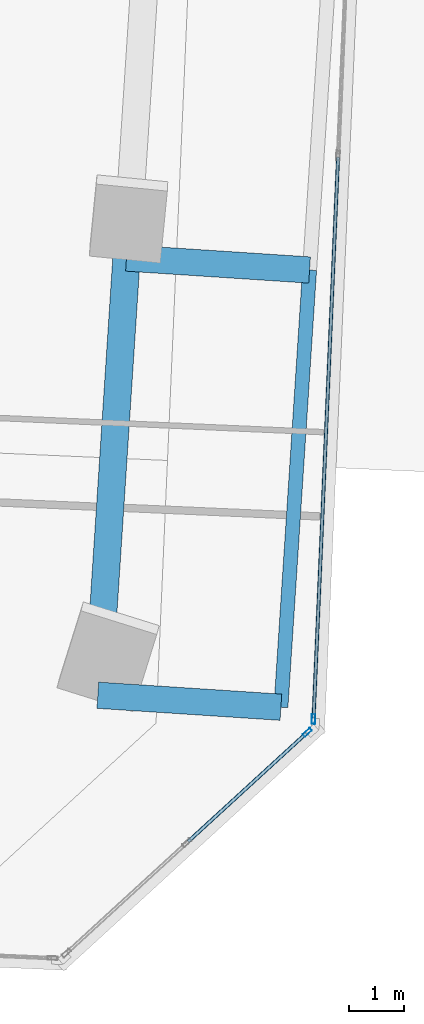
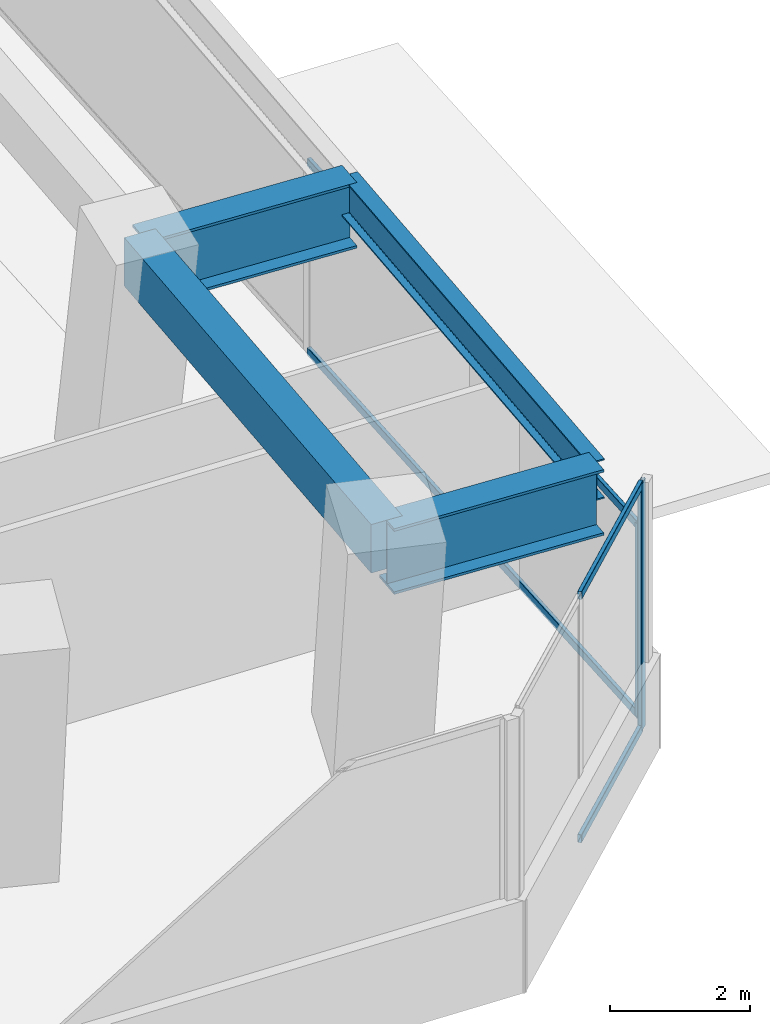
# One storey, part 11 of 27: 6 members, 4 beams, 2 elements without a shape of their own.
"""IFC4 building model written with IfcOpenShell, lengths in metres."""

from ifc_helpers import new_model, si_unit, direction, frame, origin, origin_2d, place, context, subcontext, project, spatial, rectangle, hollow_rectangle, i_section, extrude, source, transform, mapped, material, material_profile, profile_set, type_object, element, aggregate, save


model = new_model("IFC4")

# Units and contexts
model_context = context("Model", 3, precision=1e-05, world=origin(), true_north=direction((0.0, 1.0)))
body_context = subcontext(model_context, "Body", "Model", "MODEL_VIEW")
ifc_project = project(units=[si_unit("LENGTHUNIT", "METRE"), si_unit("AREAUNIT", "SQUARE_METRE"), si_unit("VOLUMEUNIT", "CUBIC_METRE"), si_unit("PLANEANGLEUNIT", "RADIAN"), si_unit("MASSUNIT", "GRAM", prefix="KILO")], contexts=[model_context])

# Site, building, storey
site_placement = place(None, origin())
site = spatial("IfcSite", under=ifc_project, at=site_placement, CompositionType="ELEMENT")
building_placement = place(site_placement, origin())
building = spatial("IfcBuilding", under=site, at=building_placement, Name="Torre Montelarca", CompositionType="ELEMENT")
storey_placement = place(building_placement, frame((0.0, 0.0, 37.60009765625)))
storey = spatial("IfcBuildingStorey", under=building, at=storey_placement, Name="L08", CompositionType="ELEMENT", Elevation=37.60009765625)

# Beams
ifc_material_1 = material(Name="Concrete C55/67", Category="concrete")
ifc_material_profile_1 = material_profile(ifc_material_1, rectangle(XDim=0.5, YDim=0.85009765625, at=origin_2d()), Name="RCB500X850", Category="concrete")
ifc_profile_set_1 = profile_set([ifc_material_profile_1], Name="Concrete C55/67")
beam_type_1 = type_object("IfcBeamType", Name="BM-SP-RC850-EXT", PredefinedType="SPANDREL", material=ifc_profile_set_1)
shared_shape_1 = source(origin(), body_context, "Body", "SweptSolid", [
    extrude(rectangle(XDim=0.5, YDim=0.85009765625, at=origin_2d()), origin(), (0.0, 0.0, 1.0), 8.0),
])
beam_1_placement = place(storey_placement, frame((59.394287109375, 21.4990234375, 4.135009765625), z_axis=(0.065398870593, 0.997859202355, 0.0), x_axis=(-0.997859202355, 0.065398870593, 0.0)))
element("IfcBeam", 1, at=beam_1_placement, inside=storey, type_object=beam_type_1, Name="L08 Grid Girder Y 24.0-32.0 at X=60.0", PredefinedType="SPANDREL", context=body_context, shape_type="MappedRepresentation", body=[
    mapped(shared_shape_1, transform((0.0, 0.0, 0.0), scale=1.0)),
])
ifc_material_2 = material(Name="Steel ASTM A572 Grade 50", Category="steel")
ifc_material_profile_2 = material_profile(ifc_material_2, i_section(OverallWidth=0.47998046875, OverallDepth=1.14990234375, WebThickness=0.02197265625, FlangeThickness=0.044921875, at=origin_2d()), Name="PG1150X480X22X45", Category="steel")
ifc_profile_set_2 = profile_set([ifc_material_profile_2], Name="Steel ASTM A572 Grade 50")
beam_type_2 = type_object("IfcBeamType", Name="BM-CG-PG1400-EXT", PredefinedType="USERDEFINED", material=ifc_profile_set_2)
shared_shape_2 = source(origin(), body_context, "Body", "SweptSolid", [
    extrude(i_section(OverallWidth=0.47998046875, OverallDepth=1.14990234375, WebThickness=0.02197265625, FlangeThickness=0.044921875, at=origin_2d()), origin(), (0.0, 0.0, 1.0), 3.35009765625),
])
for number, where, z_axis, x_axis, name in (
    (2, (59.394287109375, 21.4990234375, 3.98486328125), (0.997861237042, -0.065367817836, 0.0), (0.065367817836, 0.997861237042, 0.0), "L08 Sliding Tray Cantilever Girder East Y=24m (FLR)"),
    (3, (59.91748046875, 29.48193359375, 3.98486328125), (0.997861237042, -0.065367817836, 0.0), (0.065367817836, 0.997861237042, 0.0), "L08 Sliding Tray Cantilever Girder East Y=32m (FLR)"),
):
    element("IfcBeam", number, at=place(storey_placement, frame(where, z_axis=z_axis, x_axis=x_axis)), inside=storey, type_object=beam_type_2, Name=name, ObjectType="CANTILEVER GIRDER", PredefinedType="USERDEFINED", context=body_context, shape_type="MappedRepresentation", body=[
        mapped(shared_shape_2, transform((0.0, 0.0, 0.0), scale=1.0)),
    ])
ifc_material_3 = material(Name="Steel ASTM A992 Grade 50", Category="steel")
ifc_material_profile_3 = material_profile(ifc_material_3, i_section(OverallWidth=0.256103515625, OverallDepth=0.693115234375, WebThickness=0.014404296875, FlangeThickness=0.023681640625, FilletRadius=0.01806640625, at=origin_2d()), Name="W690X170", Category="steel")
ifc_profile_set_3 = profile_set([ifc_material_profile_3], Name="Steel ASTM A992 Grade 50")
beam_type_3 = type_object("IfcBeamType", Name="BM-G-W690-EXT", PredefinedType="BEAM", material=ifc_profile_set_3)
shared_shape_3 = source(origin(), body_context, "Body", "SweptSolid", [
    extrude(i_section(OverallWidth=0.256103515625, OverallDepth=0.693115234375, WebThickness=0.014404296875, FlangeThickness=0.023681640625, FilletRadius=0.01806640625, at=origin_2d()), origin(), (0.0, 0.0, 1.0), 8.0),
])
beam_2_placement = place(storey_placement, frame((62.7373046875, 21.280029296875, 4.212890625), z_axis=(0.065398870593, 0.997859202355, 0.0), x_axis=(-0.997859202355, 0.065398870593, 0.0)))
element("IfcBeam", 4, at=beam_2_placement, inside=storey, type_object=beam_type_3, Name="L08 Sliding Tray Edge Girder East 24-32m (FLR)", PredefinedType="BEAM", context=body_context, shape_type="MappedRepresentation", body=[
    mapped(shared_shape_3, transform((0.0, 0.0, 0.0), scale=1.0)),
])

# Curtain wall, members
ifc_material_4 = material(Name="Insulated low-E laminated glass", Category="glass")
curtain_wall_type = type_object("IfcCurtainWallType", Name="CW-SYS-Z1", PredefinedType="USERDEFINED", material=ifc_material_4)
curtain_wall_1_placement = place(storey_placement, origin())
curtain_wall_1 = element("IfcCurtainWall", 5, at=curtain_wall_1_placement, inside=storey, type_object=curtain_wall_type, Name="L08 Curtain Wall Run CW-T3-L08-E05-B1", ObjectType="UNITISED GLAZING", PredefinedType="USERDEFINED")
ifc_material_5 = material(Name="Anodised aluminium AA 6063-T6", Category="aluminium")
ifc_material_profile_4 = material_profile(ifc_material_5, hollow_rectangle(XDim=0.06494140625, YDim=0.139892578125, WallThickness=0.00390625, InnerFilletRadius=0.00390625, OuterFilletRadius=0.008056640625, at=origin_2d()), Name="ALU65X140X4", Category="aluminium")
ifc_profile_set_4 = profile_set([ifc_material_profile_4], Name="Anodised aluminium AA 6063-T6")
member_type_1 = type_object("IfcMemberType", Name="CWT-ALU140", PredefinedType="USERDEFINED", material=ifc_profile_set_4)
shared_shape_4 = source(origin(), body_context, "Body", "SweptSolid", [
    extrude(hollow_rectangle(XDim=0.06494140625, YDim=0.139892578125, WallThickness=0.00390625, InnerFilletRadius=0.00390625, OuterFilletRadius=0.008056640625, at=origin_2d()), origin(), (0.0, 0.0, 1.0), 2.918701171875),
])
member_1_placement = place(storey_placement, frame((61.044189453125, 18.827392578125, 0.032470703125), z_axis=(0.737258294732, 0.675610987809, 0.0), x_axis=(-0.675610987809, 0.737258294732, 0.0)))
member_1 = element("IfcMember", 6, at=member_1_placement, type_object=member_type_1, Name="CW transom 2.1", ObjectType="TRANSOM", PredefinedType="USERDEFINED", context=body_context, shape_type="MappedRepresentation", body=[
    mapped(shared_shape_4, transform((0.0, 0.0, 0.0), scale=1.0)),
])
member_2_placement = place(storey_placement, frame((61.044189453125, 18.827392578125, 4.287353515625), z_axis=(0.737258294732, 0.675610987809, 0.0), x_axis=(-0.675610987809, 0.737258294732, 0.0)))
member_2 = element("IfcMember", 7, at=member_2_placement, type_object=member_type_1, Name="CW transom 2.2", ObjectType="TRANSOM", PredefinedType="USERDEFINED", context=body_context, shape_type="MappedRepresentation", body=[
    mapped(shared_shape_4, transform((0.0, 0.0, 0.0), scale=1.0)),
])
ifc_material_profile_5 = material_profile(ifc_material_5, hollow_rectangle(XDim=0.06494140625, YDim=0.179931640625, WallThickness=0.00390625, InnerFilletRadius=0.00390625, OuterFilletRadius=0.008056640625, at=origin_2d()), Name="ALU65X180X4", Category="aluminium")
ifc_profile_set_5 = profile_set([ifc_material_profile_5], Name="Anodised aluminium AA 6063-T6")
member_type_2 = type_object("IfcMemberType", Name="CWM-ALU180", PredefinedType="MULLION", material=ifc_profile_set_5)
shared_shape_5 = source(origin(), body_context, "Body", "SweptSolid", [
    extrude(hollow_rectangle(XDim=0.06494140625, YDim=0.179931640625, WallThickness=0.00390625, InnerFilletRadius=0.00390625, OuterFilletRadius=0.008056640625, at=origin_2d()), origin(), (0.0, 0.0, 1.0), 4.31982421875),
])
member_3_placement = place(storey_placement, frame((63.219970703125, 20.8212890625, 0.0), z_axis=(0.0, 0.0, 1.0), x_axis=(-0.675574480513, 0.737291747736, 0.0)))
member_3 = element("IfcMember", 8, at=member_3_placement, type_object=member_type_2, Name="CW mullion 3", PredefinedType="MULLION", context=body_context, shape_type="MappedRepresentation", body=[
    mapped(shared_shape_5, transform((0.0, 0.0, 0.0), scale=1.0)),
])
aggregate(curtain_wall_1, [member_3, member_1, member_2])

curtain_wall_2_placement = place(storey_placement, origin())
curtain_wall_2 = element("IfcCurtainWall", 9, at=curtain_wall_2_placement, inside=storey, type_object=curtain_wall_type, Name="L08 Curtain Wall Run CW-T3-L08-E06-B1", ObjectType="UNITISED GLAZING", PredefinedType="USERDEFINED")
shared_shape_6 = source(origin(), body_context, "Body", "SweptSolid", [
    extrude(hollow_rectangle(XDim=0.06494140625, YDim=0.179931640625, WallThickness=0.00390625, InnerFilletRadius=0.00390625, OuterFilletRadius=0.008056640625, at=origin_2d()), origin(), (0.0, 0.0, 1.0), 3.375),
])
member_4_placement = place(storey_placement, frame((63.332763671875, 21.063232421875, 0.0), z_axis=(0.0, 0.0, 1.0), x_axis=(-0.999048300322, 0.043617583889, 0.0)))
member_4 = element("IfcMember", 10, at=member_4_placement, type_object=member_type_2, Name="CW mullion 1", PredefinedType="MULLION", context=body_context, shape_type="MappedRepresentation", body=[
    mapped(shared_shape_6, transform((0.0, 0.0, 0.0), scale=1.0)),
])
shared_shape_7 = source(origin(), body_context, "Body", "SweptSolid", [
    extrude(hollow_rectangle(XDim=0.06494140625, YDim=0.139892578125, WallThickness=0.00390625, InnerFilletRadius=0.00390625, OuterFilletRadius=0.008056640625, at=origin_2d()), origin(), (0.0, 0.0, 1.0), 10.236572265625),
])
member_5_placement = place(storey_placement, frame((63.334228515625, 21.095703125, 0.032470703125), z_axis=(0.043621452705, 0.999048131405, 0.0), x_axis=(-0.999048131405, 0.043621452705, 0.0)))
member_5 = element("IfcMember", 11, at=member_5_placement, type_object=member_type_1, Name="CW transom 1.1", ObjectType="TRANSOM", PredefinedType="USERDEFINED", context=body_context, shape_type="MappedRepresentation", body=[
    mapped(shared_shape_7, transform((0.0, 0.0, 0.0), scale=1.0)),
])
member_6_placement = place(storey_placement, frame((63.334228515625, 21.095703125, 3.34228515625), z_axis=(0.043621452705, 0.999048131405, 0.0), x_axis=(-0.999048131405, 0.043621452705, 0.0)))
member_6 = element("IfcMember", 12, at=member_6_placement, type_object=member_type_1, Name="CW transom 1.2", ObjectType="TRANSOM", PredefinedType="USERDEFINED", context=body_context, shape_type="MappedRepresentation", body=[
    mapped(shared_shape_7, transform((0.0, 0.0, 0.0), scale=1.0)),
])
aggregate(curtain_wall_2, [member_4, member_5, member_6])

save(model, "model.ifc")
